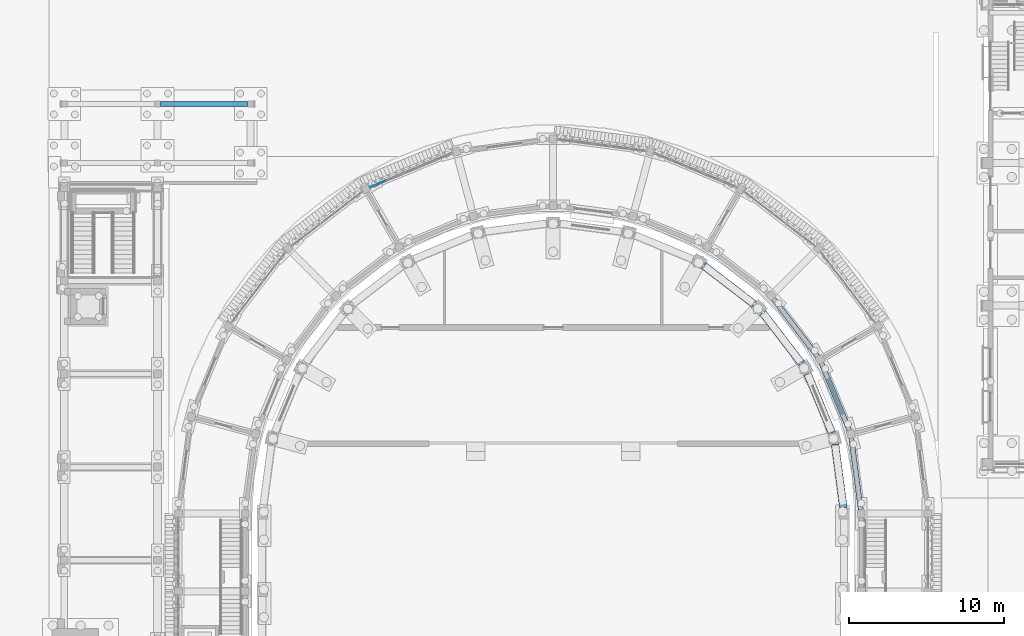
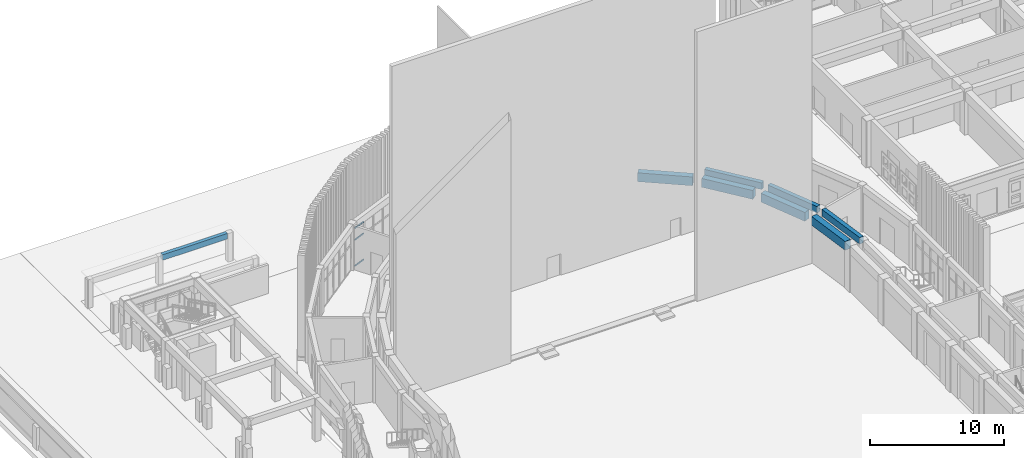
# One storey, part 32 of 112: 8 beams, 3 members, 1 element without a shape of its own.
"""IFC4 building model written with IfcOpenShell, lengths in metres."""

import ifcopenshell
import ifcopenshell.guid

model = None  # the IFC model being written
_history = None  # IfcOwnerHistory: only IFC2X3 demands one
_inside = {}  # id of a spatial element -> (the spatial element, [elements in it])
_under = {}  # id of a project, library or spatial element -> (it, [spatial elements below it])
_declared = {}  # id of a project -> (the project, [libraries it declares])
_typed = {}  # id of a type object -> (the type object, [elements of that type])
_made_of = {}  # id of a material, layer set ... -> (it, [elements and type objects made of it])


def new_model(schema):
    """Start an empty IFC model of exactly this schema.

    Asked for "IFC4X3", IfcOpenShell would pick the latest addendum, in which some entities
    have other attributes; the version numbers below select the first issue.
    IFC2X3 requires an IfcOwnerHistory on every rooted entity: one is made here for all.
    """
    global model, _history
    if schema == "IFC4X3":
        model = ifcopenshell.file(schema_version=(4, 3, 0, 0))
    else:
        model = ifcopenshell.file(schema=schema)
    _inside.clear()
    _under.clear()
    _declared.clear()
    _typed.clear()
    _made_of.clear()
    _history = None
    if model.schema == "IFC2X3":
        org = make("IfcOrganization", Name="unknown")
        user = make(
            "IfcPersonAndOrganization",
            ThePerson=make("IfcPerson", FamilyName="unknown"),
            TheOrganization=org,
        )
        app = make(
            "IfcApplication",
            ApplicationDeveloper=org,
            Version="unknown",
            ApplicationFullName="unknown",
            ApplicationIdentifier="unknown",
        )
        _history = make(
            "IfcOwnerHistory",
            OwningUser=user,
            OwningApplication=app,
            ChangeAction="ADDED",
            CreationDate=0,
        )
    return model


def make(cls, **values):
    """One entity of the class cls with the attributes given. An attribute that is None is left unset."""
    return model.create_entity(
        cls, **{name: value for name, value in values.items() if value is not None}
    )


def rooted(cls, **values):
    """An entity with a GlobalId (a new one), such as an element, a storey or a relation."""
    return make(cls, GlobalId=ifcopenshell.guid.new(), OwnerHistory=_history, **values)


def si_unit(unit_type, name, prefix=None):
    """IfcSIUnit, for example si_unit("LENGTHUNIT", "METRE", prefix="MILLI")."""
    return make("IfcSIUnit", UnitType=unit_type, Prefix=prefix, Name=name)


def assignment(units):
    """IfcUnitAssignment: the units of a project."""
    return None if units is None else make("IfcUnitAssignment", Units=units)


def point(xyz):
    """IfcCartesianPoint."""
    return None if xyz is None else make("IfcCartesianPoint", Coordinates=xyz)


def direction(xyz):
    """IfcDirection."""
    return None if xyz is None else make("IfcDirection", DirectionRatios=xyz)


def frame(location, z_axis=None, x_axis=None):
    """IfcAxis2Placement3D, a coordinate frame: its origin and axes. An axis left out is left unset."""
    return make(
        "IfcAxis2Placement3D",
        Location=point(location),
        Axis=direction(z_axis),
        RefDirection=direction(x_axis),
    )


def frame_2d(location, x_axis=None):
    """IfcAxis2Placement2D, a coordinate frame in the plane: its origin and x axis."""
    return make(
        "IfcAxis2Placement2D", Location=point(location), RefDirection=direction(x_axis)
    )


def origin():
    """The frame at (0, 0, 0) with its axes left unset."""
    return frame((0.0, 0.0, 0.0))


def origin_2d():
    """The frame at (0, 0) in the plane with its x axis left unset."""
    return frame_2d((0.0, 0.0))


def place(relative_to, where):
    """IfcLocalPlacement: puts the frame where relative to a parent placement (None: the world)."""
    return make(
        "IfcLocalPlacement", PlacementRelTo=relative_to, RelativePlacement=where
    )


def context(
    kind, dimensions, precision=None, world=None, true_north=None, identifier=None
):
    """IfcGeometricRepresentationContext, for example the 3D "Model" context."""
    return make(
        "IfcGeometricRepresentationContext",
        ContextIdentifier=identifier,
        ContextType=kind,
        CoordinateSpaceDimension=dimensions,
        Precision=precision,
        WorldCoordinateSystem=world,
        TrueNorth=true_north,
    )


def subcontext(parent, identifier, kind, view, scale=None):
    """IfcGeometricRepresentationSubContext, for example "Body" below "Model"."""
    return make(
        "IfcGeometricRepresentationSubContext",
        ContextIdentifier=identifier,
        ContextType=kind,
        ParentContext=parent,
        TargetScale=scale,
        TargetView=view,
    )


def project(units=None, contexts=None):
    """IfcProject with its units and contexts."""
    return rooted(
        "IfcProject",
        Name="project",
        RepresentationContexts=contexts,
        UnitsInContext=assignment(units),
    )


def spatial(cls, under=None, at=None, **own):
    """A site, building, storey or space (cls), placed at a placement, below another one or the project."""
    s = rooted(cls, ObjectPlacement=at, **own)
    if under is not None:
        _under.setdefault(under.id(), (under, []))[1].append(s)
    return s


def profile(cls, at=None, kind="AREA", **sizes):
    """A parametric profile (cls). Its sizes go by their IFC names, for example OverallWidth=200.0."""
    return make(cls, ProfileType=kind, Position=at, **sizes)


def rectangle(**sizes):
    """IfcRectangleProfileDef."""
    return profile("IfcRectangleProfileDef", **sizes)


def extrude(swept, where, along, depth):
    """IfcExtrudedAreaSolid: the profile swept, set in the frame where, extruded along a direction by depth."""
    return make(
        "IfcExtrudedAreaSolid",
        SweptArea=swept,
        Position=where,
        ExtrudedDirection=direction(along),
        Depth=depth,
    )


def shape(context_of_items, identifier, shape_type, items):
    """IfcShapeRepresentation: the items that make up one representation, for example the "Body"."""
    return make(
        "IfcShapeRepresentation",
        ContextOfItems=context_of_items,
        RepresentationIdentifier=identifier,
        RepresentationType=shape_type,
        Items=items,
    )


def material(Name=None, Category=None):
    """IfcMaterial."""
    return make("IfcMaterial", Name=Name, Category=Category)


def layer(
    of_material, thickness, ventilated=None, Name=None, Category=None, Priority=None
):
    """IfcMaterialLayer: one layer of a wall or slab, of a material (None: an air gap)."""
    return make(
        "IfcMaterialLayer",
        Material=of_material,
        LayerThickness=thickness,
        IsVentilated=ventilated,
        Name=Name,
        Category=Category,
        Priority=Priority,
    )


def layer_set(layers, Name=None):
    """IfcMaterialLayerSet."""
    return make("IfcMaterialLayerSet", MaterialLayers=layers, LayerSetName=Name)


def material_profile(
    of_material, cross_section, Name=None, Category=None, Priority=None
):
    """IfcMaterialProfile: a cross section and its material."""
    return make(
        "IfcMaterialProfile",
        Name=Name,
        Material=of_material,
        Profile=cross_section,
        Priority=Priority,
        Category=Category,
    )


def profile_set(profiles, Name=None, composite=None):
    """IfcMaterialProfileSet."""
    return make(
        "IfcMaterialProfileSet",
        Name=Name,
        MaterialProfiles=profiles,
        CompositeProfile=composite,
    )


def made_of(thing, what):
    """Note that an element or type object is made of a material, layer set ...; save() writes the relation."""
    if what is not None:
        _made_of.setdefault(what.id(), (what, []))[1].append(thing)
    return thing


def type_object(cls, material=None, **own):
    """A type object (cls), such as IfcWallType, which elements share."""
    return made_of(rooted(cls, **own), material)


def element(
    cls,
    number,
    at=None,
    inside=None,
    cuts=None,
    type_object=None,
    material=None,
    context=None,
    identifier="Body",
    shape_type=None,
    held_by="IfcProductDefinitionShape",
    body=None,
    shapes=None,
    **own,
):
    """One element of the class cls, such as IfcWall. Its Tag is "e" and its number.

    at: its placement. inside: the storey or other place that contains it. cuts: it is an
    opening in that element (IfcRelVoidsElement). A single representation is given by context,
    identifier, shape_type and body (its items); several are given by shapes. held_by: the class
    of the entity that holds the representations. save() writes the other relations.
    """
    e = rooted(cls, Tag="e%d" % number, ObjectPlacement=at, **own)
    if body is not None:
        shapes = [shape(context, identifier, shape_type, body)]
    if shapes is not None:
        e.Representation = make(held_by, Representations=shapes)
    if inside is not None:
        _inside.setdefault(inside.id(), (inside, []))[1].append(e)
    if cuts is not None:
        rooted(
            "IfcRelVoidsElement", RelatingBuildingElement=cuts, RelatedOpeningElement=e
        )
    if type_object is not None:
        _typed.setdefault(type_object.id(), (type_object, []))[1].append(e)
    return made_of(e, material)


def aggregate(whole, parts):
    """IfcRelAggregates: a whole, such as a stair, and the parts it consists of."""
    return rooted("IfcRelAggregates", RelatingObject=whole, RelatedObjects=parts)


def save(model, path):
    """Write the relations noted so far, then the file.

    IfcRelAggregates (storeys below a building ...), IfcRelContainedInSpatialStructure (elements
    in a storey), IfcRelDefinesByType, IfcRelAssociatesMaterial and IfcRelDeclares: one each for
    every whole, place, type object, material and project.
    """
    for whole, parts in _under.values():
        aggregate(whole, parts)
    for where, things in _inside.values():
        rooted(
            "IfcRelContainedInSpatialStructure",
            RelatedElements=things,
            RelatingStructure=where,
        )
    for kind, things in _typed.values():
        rooted("IfcRelDefinesByType", RelatedObjects=things, RelatingType=kind)
    for what, things in _made_of.values():
        rooted("IfcRelAssociatesMaterial", RelatedObjects=things, RelatingMaterial=what)
    for by, libraries in _declared.values():
        rooted("IfcRelDeclares", RelatingContext=by, RelatedDefinitions=libraries)
    model.write(path)


model = new_model("IFC4")

# Units and contexts
model_context = context("Model", 3, precision=1e-05, world=origin(), true_north=direction((0.0, 1.0)))
body_context = subcontext(model_context, "Body", "Model", "MODEL_VIEW")
ifc_project = project(units=[si_unit("LENGTHUNIT", "METRE"), si_unit("AREAUNIT", "SQUARE_METRE"), si_unit("VOLUMEUNIT", "CUBIC_METRE"), si_unit("PLANEANGLEUNIT", "RADIAN"), si_unit("MASSUNIT", "GRAM", prefix="KILO")], contexts=[model_context])

# Site, building, storey
site_placement = place(None, origin())
site = spatial("IfcSite", under=ifc_project, at=site_placement, CompositionType="ELEMENT")
building_placement = place(site_placement, origin())
building = spatial("IfcBuilding", under=site, at=building_placement, Name="Wasatch Bagh Community Centre", CompositionType="ELEMENT")
storey_placement = place(building_placement, origin())
storey = spatial("IfcBuildingStorey", under=building, at=storey_placement, Name="L00", CompositionType="ELEMENT", Elevation=0.0)

# Beams
ifc_material_1 = material(Name="Concrete C35", Category="concrete")
ifc_material_profile_1 = material_profile(ifc_material_1, rectangle(XDim=0.35009765625, YDim=0.60009765625, at=origin_2d()), Name="RC 350x600")
ifc_profile_set_1 = profile_set([ifc_material_profile_1], Name="Concrete C35")
beam_type_1 = type_object("IfcBeamType", Name="Drum ring beam RC 350x600", PredefinedType="BEAM", material=ifc_profile_set_1)
beam_1_placement = place(storey_placement, frame((55.81396484375, 65.2734375, 3.89990234375), z_axis=(-0.130495429401, 0.99144891089, 0.0), x_axis=(-0.99144891089, -0.130495429401, 0.0)))
element("IfcBeam", 1, at=beam_1_placement, inside=storey, type_object=beam_type_1, Name="Ring beam 4.2 DI-E7-DI-N1", PredefinedType="BEAM", context=body_context, shape_type="SweptSolid", body=[
    extrude(rectangle(XDim=0.35009765625, YDim=0.60009765625, at=origin_2d()), origin(), (0.0, 0.0, 1.0), 4.63037109375),
])
beam_2_placement = place(storey_placement, frame((55.068115234375, 70.392333984375, 3.89990234375), z_axis=(-0.382671540178, 0.923884458327, 0.0), x_axis=(-0.923884458327, -0.382671540178, 0.0)))
element("IfcBeam", 2, at=beam_2_placement, inside=storey, type_object=beam_type_1, Name="Ring beam 4.2 DI-N1-DI-N2", PredefinedType="BEAM", context=body_context, shape_type="SweptSolid", body=[
    extrude(rectangle(XDim=0.35009765625, YDim=0.60009765625, at=origin_2d()), origin(), (0.0, 0.0, 1.0), 4.630615234375),
])
beam_3_placement = place(storey_placement, frame((53.022705078125, 75.143798828125, 3.89990234375), z_axis=(-0.608762451519, 0.793352555691, 0.0), x_axis=(-0.793352555691, -0.608762451519, 0.0)))
element("IfcBeam", 3, at=beam_3_placement, inside=storey, type_object=beam_type_1, Name="Ring beam 4.2 DI-N2-DI-N3", PredefinedType="BEAM", context=body_context, shape_type="SweptSolid", body=[
    extrude(rectangle(XDim=0.35009765625, YDim=0.60009765625, at=origin_2d()), origin(), (0.0, 0.0, 1.0), 4.63037109375),
])

# Curtain wall, members
ifc_material_2 = material(Name="Aluminium curtain wall frame with low-iron insulated glass", Category="aluminium")
ifc_layer = layer(ifc_material_2, 0.14990234375)
ifc_layer_set = layer_set([ifc_layer], Name="Aluminium curtain wall frame with low-iron insulated glass")
curtain_wall_type = type_object("IfcCurtainWallType", Name="Drum curtain wall DR-CW1", PredefinedType="NOTDEFINED", material=ifc_layer_set)
curtain_wall_placement = place(storey_placement, origin())
curtain_wall = element("IfcCurtainWall", 4, at=curtain_wall_placement, inside=storey, type_object=curtain_wall_type, Name="Curtain wall DR-CW1 26", PredefinedType="NOTDEFINED")
ifc_material_3 = material(Name="Aluminium curtain wall frame", Category="aluminium")
ifc_material_profile_2 = material_profile(ifc_material_3, rectangle(XDim=0.06005859375, YDim=0.1201171875, at=origin_2d()), Name="Drum transom DR-CW1")
ifc_profile_set_2 = profile_set([ifc_material_profile_2], Name="Aluminium curtain wall frame")
member_type = type_object("IfcMemberType", Name="Drum transom DR-CW1", PredefinedType="USERDEFINED", material=ifc_profile_set_2)
member_1_placement = place(storey_placement, frame((25.207763671875, 86.44580078125, 0.030029296875), z_axis=(-0.923874472572, -0.38269564791, 0.0), x_axis=(0.38269564791, -0.923874472572, 0.0)))
member_1 = element("IfcMember", 5, at=member_1_placement, type_object=member_type, Name="DR-CW1 transom 5.1", ObjectType="TRANSOM", PredefinedType="USERDEFINED", context=body_context, shape_type="SweptSolid", body=[
    extrude(rectangle(XDim=0.06005859375, YDim=0.1201171875, at=origin_2d()), origin(), (0.0, 0.0, 1.0), 1.06591796875),
])
member_2_placement = place(storey_placement, frame((25.207763671875, 86.44580078125, 2.39990234375), z_axis=(-0.923874472572, -0.38269564791, 0.0), x_axis=(0.38269564791, -0.923874472572, 0.0)))
member_2 = element("IfcMember", 6, at=member_2_placement, type_object=member_type, Name="DR-CW1 transom 5.2", ObjectType="TRANSOM", PredefinedType="USERDEFINED", context=body_context, shape_type="SweptSolid", body=[
    extrude(rectangle(XDim=0.06005859375, YDim=0.1201171875, at=origin_2d()), origin(), (0.0, 0.0, 1.0), 1.06591796875),
])
member_3_placement = place(storey_placement, frame((25.207763671875, 86.44580078125, 3.469970703125), z_axis=(-0.923874472572, -0.38269564791, 0.0), x_axis=(0.38269564791, -0.923874472572, 0.0)))
member_3 = element("IfcMember", 7, at=member_3_placement, type_object=member_type, Name="DR-CW1 transom 5.3", ObjectType="TRANSOM", PredefinedType="USERDEFINED", context=body_context, shape_type="SweptSolid", body=[
    extrude(rectangle(XDim=0.06005859375, YDim=0.1201171875, at=origin_2d()), origin(), (0.0, 0.0, 1.0), 1.06591796875),
])
aggregate(curtain_wall, [member_1, member_2, member_3])

# Beams
ifc_material_profile_3 = material_profile(ifc_material_1, rectangle(XDim=0.5, YDim=0.800048828125, at=origin_2d()), Name="RC 500x800")
ifc_profile_set_3 = profile_set([ifc_material_profile_3], Name="Concrete C35")
beam_type_2 = type_object("IfcBeamType", Name="MH ring beam RC 500x800", PredefinedType="BEAM", material=ifc_profile_set_3)
for number, where, z_axis, x_axis, name in (
    (8, (54.699462890625, 65.383056640625, 3.800048828125), (-0.130483623501, 0.991450464722, 0.0), (-0.991450464722, -0.130483623501, 0.0), "Ring beam 4.2 E7-N1"),
    (9, (53.963134765625, 70.2099609375, 3.800048828125), (-0.382688328955, 0.923877504262, 0.0), (-0.923877504262, -0.382688328955, 0.0), "Ring beam 4.2 N1-N2"),
    (10, (52.002685546875, 74.681640625, 3.800048828125), (-0.60877717335, 0.793341258985, 0.0), (-0.793341258985, -0.60877717335, 0.0), "Ring beam 4.2 N2-N3"),
    (11, (48.95166015625, 78.493408203125, 3.800048828125), (-0.793341258985, 0.60877717335, 0.0), (-0.60877717335, -0.793341258985, 0.0), "Ring beam 4.2 N3-N4"),
):
    element("IfcBeam", number, at=place(storey_placement, frame(where, z_axis=z_axis, x_axis=x_axis)), inside=storey, type_object=beam_type_2, Name=name, PredefinedType="BEAM", context=body_context, shape_type="SweptSolid", body=[
        extrude(rectangle(XDim=0.5, YDim=0.800048828125, at=origin_2d()), origin(), (0.0, 0.0, 1.0), 4.121826171875),
    ])
ifc_material_profile_4 = material_profile(ifc_material_1, rectangle(XDim=0.300048828125, YDim=0.5, at=origin_2d()), Name="RC 300x500")
ifc_profile_set_4 = profile_set([ifc_material_profile_4], Name="Concrete C35")
beam_type_3 = type_object("IfcBeamType", Name="SITE-B1", PredefinedType="BEAM", material=ifc_profile_set_4)
beam_4_placement = place(storey_placement, frame((10.699951171875, 91.39990234375, 2.35009765625), z_axis=(1.0, 0.0, 0.0), x_axis=(0.0, 1.0, 0.0)))
element("IfcBeam", 12, at=beam_4_placement, inside=storey, type_object=beam_type_3, Name="Bicycle store beam 4", PredefinedType="BEAM", context=body_context, shape_type="SweptSolid", body=[
    extrude(rectangle(XDim=0.300048828125, YDim=0.5, at=origin_2d()), origin(), (0.0, 0.0, 1.0), 5.60009765625),
])

save(model, "model.ifc")
